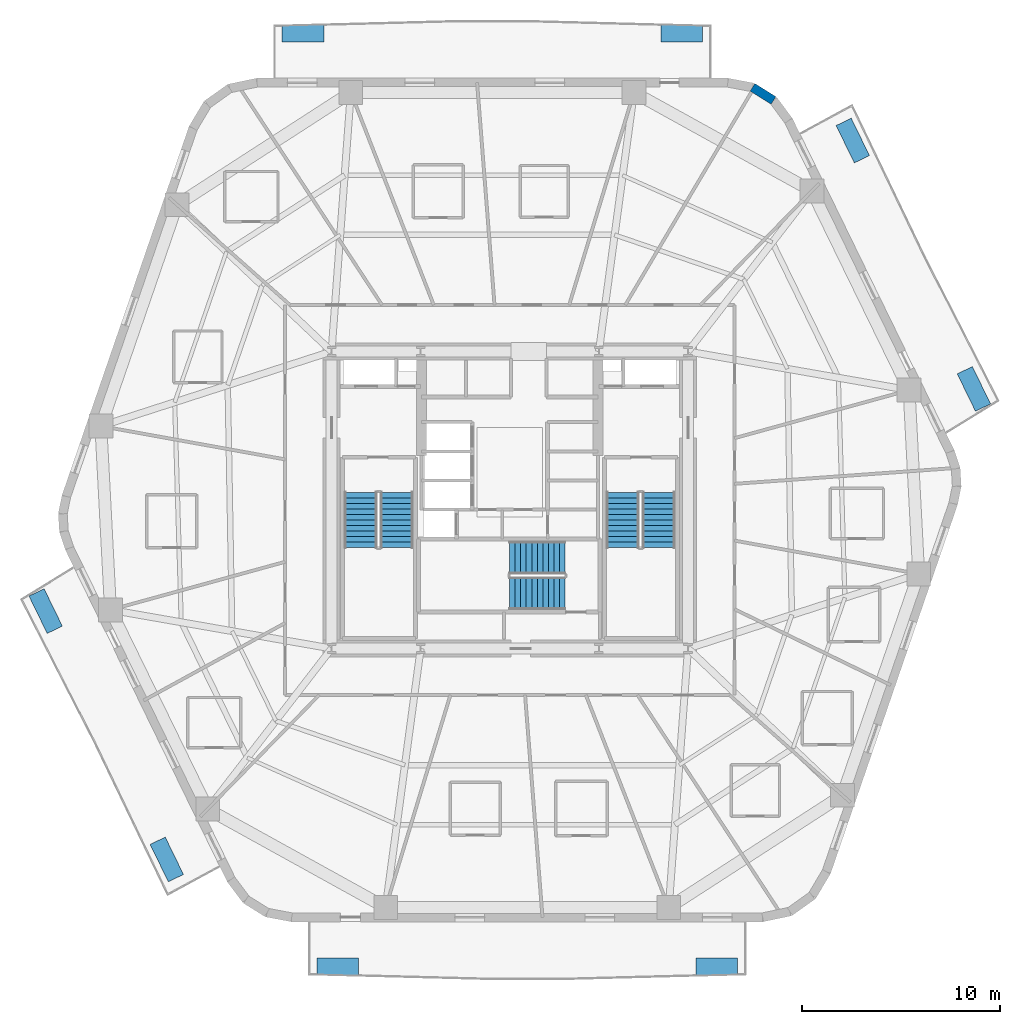
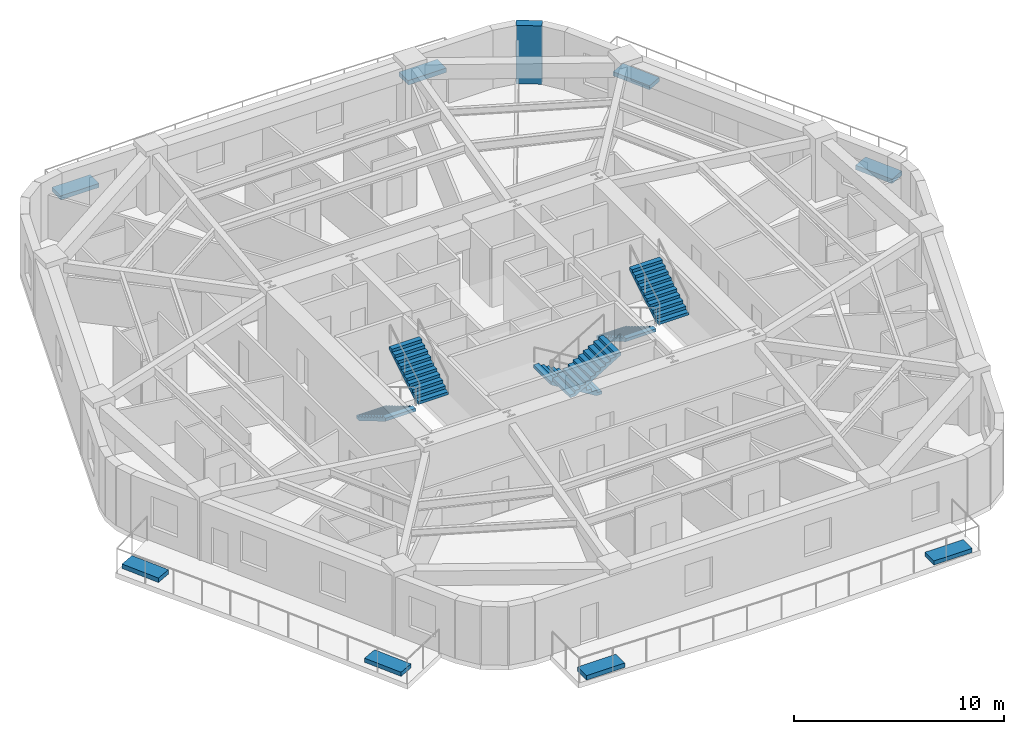
# One storey, part 7 of 10: 8 discrete accessories, 6 stair flights, 1 wall, 3 elements without a shape of their own.
"""IFC4 building model written with IfcOpenShell, lengths in metres."""

import ifcopenshell
import ifcopenshell.guid

model = None  # the IFC model being written
_history = None  # IfcOwnerHistory: only IFC2X3 demands one
_inside = {}  # id of a spatial element -> (the spatial element, [elements in it])
_under = {}  # id of a project, library or spatial element -> (it, [spatial elements below it])
_declared = {}  # id of a project -> (the project, [libraries it declares])
_typed = {}  # id of a type object -> (the type object, [elements of that type])
_made_of = {}  # id of a material, layer set ... -> (it, [elements and type objects made of it])


def new_model(schema):
    """Start an empty IFC model of exactly this schema.

    Asked for "IFC4X3", IfcOpenShell would pick the latest addendum, in which some entities
    have other attributes; the version numbers below select the first issue.
    IFC2X3 requires an IfcOwnerHistory on every rooted entity: one is made here for all.
    """
    global model, _history
    if schema == "IFC4X3":
        model = ifcopenshell.file(schema_version=(4, 3, 0, 0))
    else:
        model = ifcopenshell.file(schema=schema)
    _inside.clear()
    _under.clear()
    _declared.clear()
    _typed.clear()
    _made_of.clear()
    _history = None
    if model.schema == "IFC2X3":
        org = make("IfcOrganization", Name="unknown")
        user = make(
            "IfcPersonAndOrganization",
            ThePerson=make("IfcPerson", FamilyName="unknown"),
            TheOrganization=org,
        )
        app = make(
            "IfcApplication",
            ApplicationDeveloper=org,
            Version="unknown",
            ApplicationFullName="unknown",
            ApplicationIdentifier="unknown",
        )
        _history = make(
            "IfcOwnerHistory",
            OwningUser=user,
            OwningApplication=app,
            ChangeAction="ADDED",
            CreationDate=0,
        )
    return model


def make(cls, **values):
    """One entity of the class cls with the attributes given. An attribute that is None is left unset."""
    return model.create_entity(
        cls, **{name: value for name, value in values.items() if value is not None}
    )


def rooted(cls, **values):
    """An entity with a GlobalId (a new one), such as an element, a storey or a relation."""
    return make(cls, GlobalId=ifcopenshell.guid.new(), OwnerHistory=_history, **values)


def si_unit(unit_type, name, prefix=None):
    """IfcSIUnit, for example si_unit("LENGTHUNIT", "METRE", prefix="MILLI")."""
    return make("IfcSIUnit", UnitType=unit_type, Prefix=prefix, Name=name)


def assignment(units):
    """IfcUnitAssignment: the units of a project."""
    return None if units is None else make("IfcUnitAssignment", Units=units)


def point(xyz):
    """IfcCartesianPoint."""
    return None if xyz is None else make("IfcCartesianPoint", Coordinates=xyz)


def direction(xyz):
    """IfcDirection."""
    return None if xyz is None else make("IfcDirection", DirectionRatios=xyz)


def frame(location, z_axis=None, x_axis=None):
    """IfcAxis2Placement3D, a coordinate frame: its origin and axes. An axis left out is left unset."""
    return make(
        "IfcAxis2Placement3D",
        Location=point(location),
        Axis=direction(z_axis),
        RefDirection=direction(x_axis),
    )


def frame_2d(location, x_axis=None):
    """IfcAxis2Placement2D, a coordinate frame in the plane: its origin and x axis."""
    return make(
        "IfcAxis2Placement2D", Location=point(location), RefDirection=direction(x_axis)
    )


def origin():
    """The frame at (0, 0, 0) with its axes left unset."""
    return frame((0.0, 0.0, 0.0))


def origin_2d():
    """The frame at (0, 0) in the plane with its x axis left unset."""
    return frame_2d((0.0, 0.0))


def place(relative_to, where):
    """IfcLocalPlacement: puts the frame where relative to a parent placement (None: the world)."""
    return make(
        "IfcLocalPlacement", PlacementRelTo=relative_to, RelativePlacement=where
    )


def context(
    kind, dimensions, precision=None, world=None, true_north=None, identifier=None
):
    """IfcGeometricRepresentationContext, for example the 3D "Model" context."""
    return make(
        "IfcGeometricRepresentationContext",
        ContextIdentifier=identifier,
        ContextType=kind,
        CoordinateSpaceDimension=dimensions,
        Precision=precision,
        WorldCoordinateSystem=world,
        TrueNorth=true_north,
    )


def subcontext(parent, identifier, kind, view, scale=None):
    """IfcGeometricRepresentationSubContext, for example "Body" below "Model"."""
    return make(
        "IfcGeometricRepresentationSubContext",
        ContextIdentifier=identifier,
        ContextType=kind,
        ParentContext=parent,
        TargetScale=scale,
        TargetView=view,
    )


def project(units=None, contexts=None):
    """IfcProject with its units and contexts."""
    return rooted(
        "IfcProject",
        Name="project",
        RepresentationContexts=contexts,
        UnitsInContext=assignment(units),
    )


def spatial(cls, under=None, at=None, **own):
    """A site, building, storey or space (cls), placed at a placement, below another one or the project."""
    s = rooted(cls, ObjectPlacement=at, **own)
    if under is not None:
        _under.setdefault(under.id(), (under, []))[1].append(s)
    return s


def polyline(points):
    """IfcPolyline through the points."""
    return make("IfcPolyline", Points=[point(p) for p in points])


def profile(cls, at=None, kind="AREA", **sizes):
    """A parametric profile (cls). Its sizes go by their IFC names, for example OverallWidth=200.0."""
    return make(cls, ProfileType=kind, Position=at, **sizes)


def rectangle(**sizes):
    """IfcRectangleProfileDef."""
    return profile("IfcRectangleProfileDef", **sizes)


def outline(outer, holes=None, kind="AREA"):
    """IfcArbitraryClosedProfileDef: a profile drawn as a closed curve; with holes, ...WithVoids."""
    if holes is None:
        return make("IfcArbitraryClosedProfileDef", ProfileType=kind, OuterCurve=outer)
    return make(
        "IfcArbitraryProfileDefWithVoids",
        ProfileType=kind,
        OuterCurve=outer,
        InnerCurves=holes,
    )


def extrude(swept, where, along, depth):
    """IfcExtrudedAreaSolid: the profile swept, set in the frame where, extruded along a direction by depth."""
    return make(
        "IfcExtrudedAreaSolid",
        SweptArea=swept,
        Position=where,
        ExtrudedDirection=direction(along),
        Depth=depth,
    )


def shape(context_of_items, identifier, shape_type, items):
    """IfcShapeRepresentation: the items that make up one representation, for example the "Body"."""
    return make(
        "IfcShapeRepresentation",
        ContextOfItems=context_of_items,
        RepresentationIdentifier=identifier,
        RepresentationType=shape_type,
        Items=items,
    )


def material(Name=None, Category=None):
    """IfcMaterial."""
    return make("IfcMaterial", Name=Name, Category=Category)


def layer(
    of_material, thickness, ventilated=None, Name=None, Category=None, Priority=None
):
    """IfcMaterialLayer: one layer of a wall or slab, of a material (None: an air gap)."""
    return make(
        "IfcMaterialLayer",
        Material=of_material,
        LayerThickness=thickness,
        IsVentilated=ventilated,
        Name=Name,
        Category=Category,
        Priority=Priority,
    )


def layer_set(layers, Name=None):
    """IfcMaterialLayerSet."""
    return make("IfcMaterialLayerSet", MaterialLayers=layers, LayerSetName=Name)


def made_of(thing, what):
    """Note that an element or type object is made of a material, layer set ...; save() writes the relation."""
    if what is not None:
        _made_of.setdefault(what.id(), (what, []))[1].append(thing)
    return thing


def type_object(cls, material=None, **own):
    """A type object (cls), such as IfcWallType, which elements share."""
    return made_of(rooted(cls, **own), material)


def element(
    cls,
    number,
    at=None,
    inside=None,
    cuts=None,
    type_object=None,
    material=None,
    context=None,
    identifier="Body",
    shape_type=None,
    held_by="IfcProductDefinitionShape",
    body=None,
    shapes=None,
    **own,
):
    """One element of the class cls, such as IfcWall. Its Tag is "e" and its number.

    at: its placement. inside: the storey or other place that contains it. cuts: it is an
    opening in that element (IfcRelVoidsElement). A single representation is given by context,
    identifier, shape_type and body (its items); several are given by shapes. held_by: the class
    of the entity that holds the representations. save() writes the other relations.
    """
    e = rooted(cls, Tag="e%d" % number, ObjectPlacement=at, **own)
    if body is not None:
        shapes = [shape(context, identifier, shape_type, body)]
    if shapes is not None:
        e.Representation = make(held_by, Representations=shapes)
    if inside is not None:
        _inside.setdefault(inside.id(), (inside, []))[1].append(e)
    if cuts is not None:
        rooted(
            "IfcRelVoidsElement", RelatingBuildingElement=cuts, RelatedOpeningElement=e
        )
    if type_object is not None:
        _typed.setdefault(type_object.id(), (type_object, []))[1].append(e)
    return made_of(e, material)


def aggregate(whole, parts):
    """IfcRelAggregates: a whole, such as a stair, and the parts it consists of."""
    return rooted("IfcRelAggregates", RelatingObject=whole, RelatedObjects=parts)


def save(model, path):
    """Write the relations noted so far, then the file.

    IfcRelAggregates (storeys below a building ...), IfcRelContainedInSpatialStructure (elements
    in a storey), IfcRelDefinesByType, IfcRelAssociatesMaterial and IfcRelDeclares: one each for
    every whole, place, type object, material and project.
    """
    for whole, parts in _under.values():
        aggregate(whole, parts)
    for where, things in _inside.values():
        rooted(
            "IfcRelContainedInSpatialStructure",
            RelatedElements=things,
            RelatingStructure=where,
        )
    for kind, things in _typed.values():
        rooted("IfcRelDefinesByType", RelatedObjects=things, RelatingType=kind)
    for what, things in _made_of.values():
        rooted("IfcRelAssociatesMaterial", RelatedObjects=things, RelatingMaterial=what)
    for by, libraries in _declared.values():
        rooted("IfcRelDeclares", RelatingContext=by, RelatedDefinitions=libraries)
    model.write(path)


model = new_model("IFC4")

# Units and contexts
model_context = context("Model", 3, precision=1e-05, world=origin(), true_north=direction((0.0, 1.0)))
body_context = subcontext(model_context, "Body", "Model", "MODEL_VIEW")
ifc_project = project(units=[si_unit("LENGTHUNIT", "METRE"), si_unit("AREAUNIT", "SQUARE_METRE"), si_unit("VOLUMEUNIT", "CUBIC_METRE"), si_unit("PLANEANGLEUNIT", "RADIAN"), si_unit("MASSUNIT", "GRAM", prefix="KILO")], contexts=[model_context])

# Site, building, storey
site_placement = place(None, origin())
site = spatial("IfcSite", under=ifc_project, at=site_placement, CompositionType="ELEMENT")
building_placement = place(site_placement, origin())
building = spatial("IfcBuilding", under=site, at=building_placement, Name="Kilnhurst Terrace Hotel", CompositionType="ELEMENT")
storey_placement = place(building_placement, frame((0.0, 0.0, 91.39990234375)))
storey = spatial("IfcBuildingStorey", under=building, at=storey_placement, Name="L21", CompositionType="ELEMENT", Elevation=91.39990234375)

# Wall
ifc_material_1 = material(Name="Precast concrete C40/50", Category="concrete")
ifc_layer = layer(ifc_material_1, 0.449951171875, Name="Precast concrete C40/50")
ifc_layer_set = layer_set([ifc_layer], Name="Precast concrete C40/50")
wall_type = type_object("IfcWallType", Name="WL-BRK-450", PredefinedType="SOLIDWALL", material=ifc_layer_set)
wall_placement = place(storey_placement, frame((13.317626953125, 20.1787109375, 0.0), z_axis=(0.0, 0.0, 1.0), x_axis=(-0.848031272749, 0.529946186362, 0.0)))
element("IfcWall", 1, at=wall_placement, inside=storey, type_object=wall_type, Name="L21 Rounded Corner Brick Wall C4.2", PredefinedType="SOLIDWALL", context=body_context, shape_type="SweptSolid", body=[
    extrude(rectangle(XDim=1.248046875, YDim=0.449951171875, at=frame_2d((0.6240234375, 0.0))), origin(), (0.0, 0.0, 1.0), 3.400146484375),
])

# Stair, stair flights
ifc_material_2 = material(Name="Concrete C50/60", Category="concrete")
stair_type = type_object("IfcStairType", Name="STR-CORE-1660", PredefinedType="HALF_TURN_STAIR", material=ifc_material_2)
stair_1_placement = place(storey_placement, origin())
stair_1 = element("IfcStair", 2, at=stair_1_placement, inside=storey, type_object=stair_type, Name="L21 ST-1", PredefinedType="HALF_TURN_STAIR")
stair_flight_type = type_object("IfcStairFlightType", Name="FLT-RC-1660", PredefinedType="STRAIGHT", material=ifc_material_2)
stair_flight_1_placement = place(storey_placement, frame((-7.52001953125, 0.389892578125, 0.0), z_axis=(0.0, 0.0, 1.0), x_axis=(0.0, -1.0, 0.0)))
stair_flight_1 = element("IfcStairFlight", 3, at=stair_flight_1_placement, type_object=stair_flight_type, Name="ST-1 flight 1", NumberOfRisers=11, NumberOfTreads=10, PredefinedType="STRAIGHT", RiserHeight=0.168181818, TreadLength=0.28, context=body_context, shape_type="SweptSolid", body=[
    extrude(outline(polyline([(0.0, 0.0), (0.0, 0.168212890625), (0.280029296875, 0.168212890625), (0.280029296875, 0.33642578125), (0.56005859375, 0.33642578125), (0.56005859375, 0.504638671875), (0.840087890625, 0.504638671875), (0.840087890625, 0.672607421875), (1.1201171875, 0.672607421875), (1.1201171875, 0.8408203125), (1.39990234375, 0.8408203125), (1.39990234375, 1.009033203125), (1.679931640625, 1.009033203125), (1.679931640625, 1.17724609375), (1.9599609375, 1.17724609375), (1.9599609375, 1.345458984375), (2.239990234375, 1.345458984375), (2.239990234375, 1.513671875), (2.52001953125, 1.513671875), (2.52001953125, 1.681884765625), (2.800048828125, 1.681884765625), (2.800048828125, 1.85009765625), (2.800048828125, 1.5068359375), (0.291015625, 0.0), (0.0, 0.0)])), frame((0.0, 0.830078125, 0.0), z_axis=(0.0, -1.0, 0.0), x_axis=(1.0, 0.0, 0.0)), (0.0, 0.0, 1.0), 1.659912109375),
])
stair_flight_2_placement = place(storey_placement, frame((-5.7099609375, -2.409912109375, 1.85009765625), z_axis=(0.0, 0.0, 1.0), x_axis=(0.0, 1.0, 0.0)))
stair_flight_2 = element("IfcStairFlight", 4, at=stair_flight_2_placement, type_object=stair_flight_type, Name="ST-1 flight 2", NumberOfRisers=11, NumberOfTreads=10, PredefinedType="STRAIGHT", RiserHeight=0.168181818, TreadLength=0.28, context=body_context, shape_type="SweptSolid", body=[
    extrude(outline(polyline([(0.0, 0.0), (0.0, 0.168212890625), (0.280029296875, 0.168212890625), (0.280029296875, 0.33642578125), (0.56005859375, 0.33642578125), (0.56005859375, 0.504638671875), (0.840087890625, 0.504638671875), (0.840087890625, 0.672607421875), (1.1201171875, 0.672607421875), (1.1201171875, 0.8408203125), (1.39990234375, 0.8408203125), (1.39990234375, 1.009033203125), (1.679931640625, 1.009033203125), (1.679931640625, 1.17724609375), (1.9599609375, 1.17724609375), (1.9599609375, 1.345458984375), (2.239990234375, 1.345458984375), (2.239990234375, 1.513671875), (2.52001953125, 1.513671875), (2.52001953125, 1.681884765625), (2.800048828125, 1.681884765625), (2.800048828125, 1.85009765625), (2.800048828125, 1.5068359375), (0.291015625, 0.0), (0.0, 0.0)])), frame((0.0, 0.830078125, 0.0), z_axis=(0.0, -1.0, 0.0), x_axis=(1.0, 0.0, 0.0)), (0.0, 0.0, 1.0), 1.659912109375),
])
aggregate(stair_1, [stair_flight_1, stair_flight_2])

stair_2_placement = place(storey_placement, origin())
stair_2 = element("IfcStair", 5, at=stair_2_placement, inside=storey, type_object=stair_type, Name="L21 ST-2", PredefinedType="HALF_TURN_STAIR")
stair_flight_3_placement = place(storey_placement, frame((5.7099609375, 0.389892578125, 0.0), z_axis=(0.0, 0.0, 1.0), x_axis=(0.0, -1.0, 0.0)))
stair_flight_3 = element("IfcStairFlight", 6, at=stair_flight_3_placement, type_object=stair_flight_type, Name="ST-2 flight 1", NumberOfRisers=11, NumberOfTreads=10, PredefinedType="STRAIGHT", RiserHeight=0.168181818, TreadLength=0.28, context=body_context, shape_type="SweptSolid", body=[
    extrude(outline(polyline([(0.0, 0.0), (0.0, 0.168212890625), (0.280029296875, 0.168212890625), (0.280029296875, 0.33642578125), (0.56005859375, 0.33642578125), (0.56005859375, 0.504638671875), (0.840087890625, 0.504638671875), (0.840087890625, 0.672607421875), (1.1201171875, 0.672607421875), (1.1201171875, 0.8408203125), (1.39990234375, 0.8408203125), (1.39990234375, 1.009033203125), (1.679931640625, 1.009033203125), (1.679931640625, 1.17724609375), (1.9599609375, 1.17724609375), (1.9599609375, 1.345458984375), (2.239990234375, 1.345458984375), (2.239990234375, 1.513671875), (2.52001953125, 1.513671875), (2.52001953125, 1.681884765625), (2.800048828125, 1.681884765625), (2.800048828125, 1.85009765625), (2.800048828125, 1.5068359375), (0.291015625, 0.0), (0.0, 0.0)])), frame((0.0, 0.830078125, 0.0), z_axis=(0.0, -1.0, 0.0), x_axis=(1.0, 0.0, 0.0)), (0.0, 0.0, 1.0), 1.659912109375),
])
stair_flight_4_placement = place(storey_placement, frame((7.52001953125, -2.409912109375, 1.85009765625), z_axis=(0.0, 0.0, 1.0), x_axis=(0.0, 1.0, 0.0)))
stair_flight_4 = element("IfcStairFlight", 7, at=stair_flight_4_placement, type_object=stair_flight_type, Name="ST-2 flight 2", NumberOfRisers=11, NumberOfTreads=10, PredefinedType="STRAIGHT", RiserHeight=0.168181818, TreadLength=0.28, context=body_context, shape_type="SweptSolid", body=[
    extrude(outline(polyline([(0.0, 0.0), (0.0, 0.168212890625), (0.280029296875, 0.168212890625), (0.280029296875, 0.33642578125), (0.56005859375, 0.33642578125), (0.56005859375, 0.504638671875), (0.840087890625, 0.504638671875), (0.840087890625, 0.672607421875), (1.1201171875, 0.672607421875), (1.1201171875, 0.8408203125), (1.39990234375, 0.8408203125), (1.39990234375, 1.009033203125), (1.679931640625, 1.009033203125), (1.679931640625, 1.17724609375), (1.9599609375, 1.17724609375), (1.9599609375, 1.345458984375), (2.239990234375, 1.345458984375), (2.239990234375, 1.513671875), (2.52001953125, 1.513671875), (2.52001953125, 1.681884765625), (2.800048828125, 1.681884765625), (2.800048828125, 1.85009765625), (2.800048828125, 1.5068359375), (0.291015625, 0.0), (0.0, 0.0)])), frame((0.0, 0.830078125, 0.0), z_axis=(0.0, -1.0, 0.0), x_axis=(1.0, 0.0, 0.0)), (0.0, 0.0, 1.0), 1.659912109375),
])
aggregate(stair_2, [stair_flight_3, stair_flight_4])

stair_3_placement = place(storey_placement, origin())
stair_3 = element("IfcStair", 8, at=stair_3_placement, inside=storey, type_object=stair_type, Name="L21 ST-3", PredefinedType="HALF_TURN_STAIR")
stair_flight_5_placement = place(storey_placement, frame((2.7900390625, -2.909912109375, 0.0), z_axis=(0.0, 0.0, 1.0), x_axis=(-1.0, 0.0, 0.0)))
stair_flight_5 = element("IfcStairFlight", 9, at=stair_flight_5_placement, type_object=stair_flight_type, Name="ST-3 flight 1", NumberOfRisers=11, NumberOfTreads=10, PredefinedType="STRAIGHT", RiserHeight=0.168181818, TreadLength=0.28, context=body_context, shape_type="SweptSolid", body=[
    extrude(outline(polyline([(0.0, 0.0), (0.0, 0.168212890625), (0.280029296875, 0.168212890625), (0.280029296875, 0.33642578125), (0.56005859375, 0.33642578125), (0.56005859375, 0.504638671875), (0.840087890625, 0.504638671875), (0.840087890625, 0.672607421875), (1.1201171875, 0.672607421875), (1.1201171875, 0.8408203125), (1.39990234375, 0.8408203125), (1.39990234375, 1.009033203125), (1.679931640625, 1.009033203125), (1.679931640625, 1.17724609375), (1.9599609375, 1.17724609375), (1.9599609375, 1.345458984375), (2.239990234375, 1.345458984375), (2.239990234375, 1.513671875), (2.52001953125, 1.513671875), (2.52001953125, 1.681884765625), (2.800048828125, 1.681884765625), (2.800048828125, 1.85009765625), (2.800048828125, 1.5068359375), (0.291015625, 0.0), (0.0, 0.0)])), frame((0.0, 0.830078125, 0.0), z_axis=(0.0, -1.0, 0.0), x_axis=(1.0, 0.0, 0.0)), (0.0, 0.0, 1.0), 1.659912109375),
])
stair_flight_6_placement = place(storey_placement, frame((-0.010009765625, -4.719970703125, 1.85009765625), z_axis=(0.0, 0.0, 1.0), x_axis=(1.0, 0.0, 0.0)))
stair_flight_6 = element("IfcStairFlight", 10, at=stair_flight_6_placement, type_object=stair_flight_type, Name="ST-3 flight 2", NumberOfRisers=11, NumberOfTreads=10, PredefinedType="STRAIGHT", RiserHeight=0.168181818, TreadLength=0.28, context=body_context, shape_type="SweptSolid", body=[
    extrude(outline(polyline([(0.0, 0.0), (0.0, 0.168212890625), (0.280029296875, 0.168212890625), (0.280029296875, 0.33642578125), (0.56005859375, 0.33642578125), (0.56005859375, 0.504638671875), (0.840087890625, 0.504638671875), (0.840087890625, 0.672607421875), (1.1201171875, 0.672607421875), (1.1201171875, 0.8408203125), (1.39990234375, 0.8408203125), (1.39990234375, 1.009033203125), (1.679931640625, 1.009033203125), (1.679931640625, 1.17724609375), (1.9599609375, 1.17724609375), (1.9599609375, 1.345458984375), (2.239990234375, 1.345458984375), (2.239990234375, 1.513671875), (2.52001953125, 1.513671875), (2.52001953125, 1.681884765625), (2.800048828125, 1.681884765625), (2.800048828125, 1.85009765625), (2.800048828125, 1.5068359375), (0.291015625, 0.0), (0.0, 0.0)])), frame((0.0, 0.830078125, 0.0), z_axis=(0.0, -1.0, 0.0), x_axis=(1.0, 0.0, 0.0)), (0.0, 0.0, 1.0), 1.659912109375),
])
aggregate(stair_3, [stair_flight_5, stair_flight_6])

# Discrete accessories
ifc_material_3 = material(Name="Precast Concrete C40/50 Shrub Planter", Category="concrete")
discrete_accessory_type_1 = type_object("IfcDiscreteAccessoryType", Name="PLN-SHRUB-240", PredefinedType="USERDEFINED", material=ifc_material_3)
for number, where, z_axis, x_axis, name in (
    (11, (17.321044921875, 18.15234375, 0.0), (0.0, 0.0, 1.0), (-0.438386833638, 0.898786395142, 0.0), "L21 Structural Tree Planter Box PLANTER BAL-L1A.2"),
    (12, (-10.443603515625, 23.550048828125, 0.0), (0.0, 0.0, 1.0), (-1.0, 0.0, 0.0), "L21 Structural Tree Planter Box PLANTER BAL-L1B.2"),
    (13, (-17.321044921875, -18.15234375, 0.0), (0.0, 0.0, 1.0), (0.438386833638, -0.898786395142, 0.0), "L21 Structural Tree Planter Box PLANTER BAL-L2A.2"),
    (14, (10.443603515625, -23.550048828125, 0.0), (0.0, 0.0, 1.0), (1.0, 0.0, 0.0), "L21 Structural Tree Planter Box PLANTER BAL-L2B.2"),
):
    element("IfcDiscreteAccessory", number, at=place(storey_placement, frame(where, z_axis=z_axis, x_axis=x_axis)), inside=storey, type_object=discrete_accessory_type_1, Name=name, ObjectType="PLANTER", PredefinedType="USERDEFINED", context=body_context, shape_type="SweptSolid", body=[
        extrude(rectangle(XDim=2.10009765625, YDim=0.85009765625, at=origin_2d()), origin(), (0.0, 0.0, 1.0), 0.239990234375),
    ])
ifc_material_4 = material(Name="Precast Concrete C40/50 Tree Planter", Category="concrete")
discrete_accessory_type_2 = type_object("IfcDiscreteAccessoryType", Name="PLN-TREE-260", PredefinedType="USERDEFINED", material=ifc_material_4)
for number, where, z_axis, x_axis, name in (
    (15, (23.4384765625, 5.6103515625, 0.0), (0.0, 0.0, 1.0), (-0.438386833638, 0.898786395142, 0.0), "L21 Structural Tree Planter Box PLANTER BAL-L1A.1"),
    (16, (8.68310546875, 23.550048828125, 0.0), (0.0, 0.0, 1.0), (-1.0, 0.0, 0.0), "L21 Structural Tree Planter Box PLANTER BAL-L1B.1"),
    (17, (-23.4384765625, -5.6103515625, 0.0), (0.0, 0.0, 1.0), (0.438386833638, -0.898786395142, 0.0), "L21 Structural Tree Planter Box PLANTER BAL-L2A.1"),
    (18, (-8.68310546875, -23.550048828125, 0.0), (0.0, 0.0, 1.0), (1.0, 0.0, 0.0), "L21 Structural Tree Planter Box PLANTER BAL-L2B.1"),
):
    element("IfcDiscreteAccessory", number, at=place(storey_placement, frame(where, z_axis=z_axis, x_axis=x_axis)), inside=storey, type_object=discrete_accessory_type_2, Name=name, ObjectType="PLANTER", PredefinedType="USERDEFINED", context=body_context, shape_type="SweptSolid", body=[
        extrude(rectangle(XDim=2.10009765625, YDim=0.85009765625, at=origin_2d()), origin(), (0.0, 0.0, 1.0), 0.260009765625),
    ])

save(model, "model.ifc")
